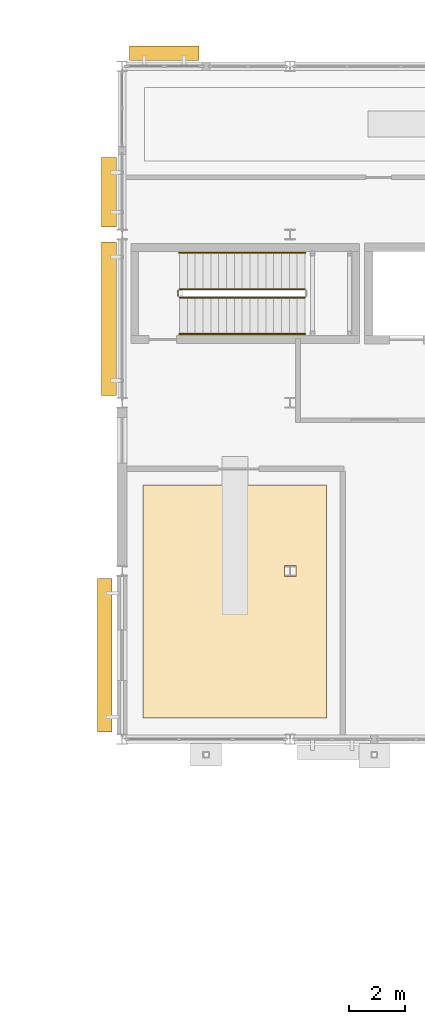
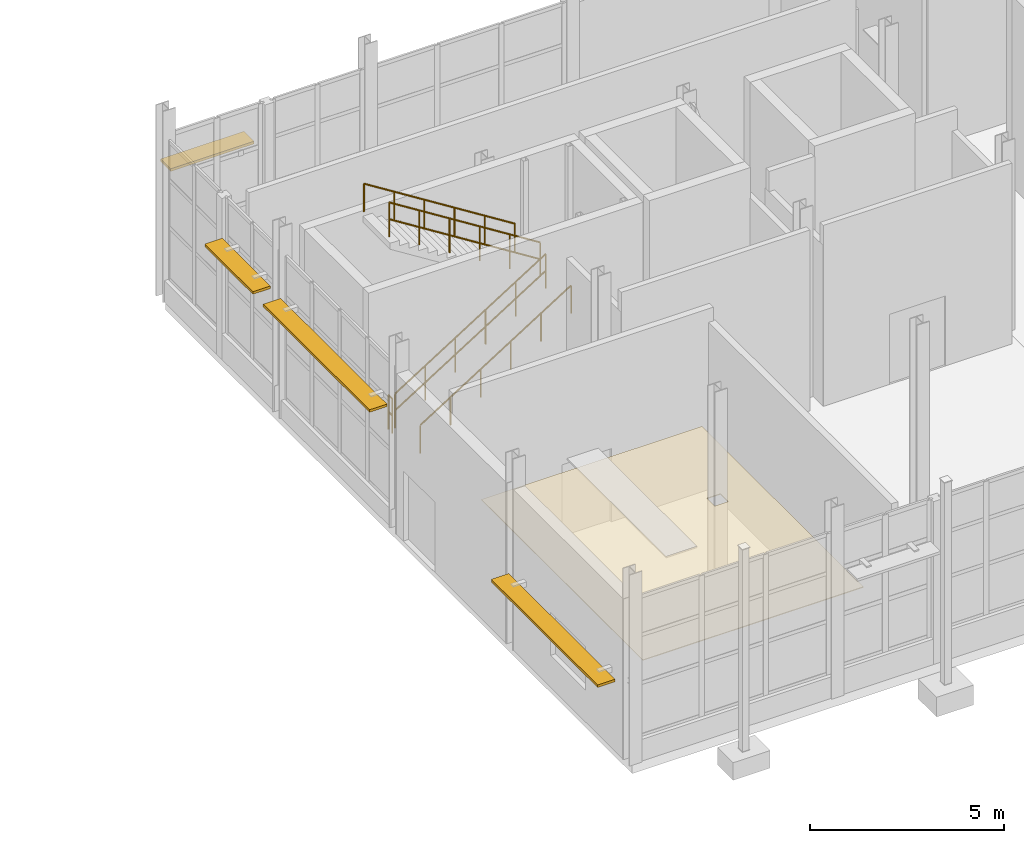
# One storey, part 117 of 120: 5 railings, 4 shading devices, 1 covering.
"""IFC4 building model written with IfcOpenShell, lengths in metres."""

from ifc_helpers import new_model, si_unit, direction, frame, origin, origin_2d, place, context, subcontext, project, spatial, polyline, rectangle, circle, outline, extrude, material, layer, layer_set, type_object, element, save


model = new_model("IFC4")

# Units and contexts
model_context = context("Model", 3, precision=1e-05, world=origin(), true_north=direction((0.0, 1.0)))
body_context = subcontext(model_context, "Body", "Model", "MODEL_VIEW")
ifc_project = project(units=[si_unit("LENGTHUNIT", "METRE"), si_unit("AREAUNIT", "SQUARE_METRE"), si_unit("VOLUMEUNIT", "CUBIC_METRE"), si_unit("PLANEANGLEUNIT", "RADIAN"), si_unit("MASSUNIT", "GRAM", prefix="KILO")], contexts=[model_context])

# Site, building, storey
site_placement = place(None, origin())
site = spatial("IfcSite", under=ifc_project, at=site_placement, CompositionType="ELEMENT")
building_placement = place(site_placement, origin())
building = spatial("IfcBuilding", under=site, at=building_placement, Name="Siltcreek Boulevard Central Fire Station", CompositionType="ELEMENT")
storey_placement = place(building_placement, origin())
storey = spatial("IfcBuildingStorey", under=building, at=storey_placement, Name="L01", CompositionType="ELEMENT", Elevation=0.0)

# Covering
ifc_material_1 = material(Name="Mineral-fiber acoustic ceiling tile", Category="gypsum")
ifc_layer_1 = layer(ifc_material_1, 0.02490234375, Name="Mineral-fiber acoustic ceiling tile")
ifc_layer_set_1 = layer_set([ifc_layer_1], Name="Mineral-fiber acoustic ceiling tile")
covering_type = type_object("IfcCoveringType", Name="COV_CEIL_ACT", PredefinedType="CEILING", material=ifc_layer_set_1)
covering_placement = place(storey_placement, frame((0.0, 0.0, 2.419921875)))
element("IfcCovering", 1, at=covering_placement, inside=storey, type_object=covering_type, Name="L01 Fire Command Centre acoustic ceiling ACT-004", PredefinedType="CEILING", context=body_context, shape_type="SweptSolid", body=[
    extrude(outline(polyline([(124.949951171875, 88.949951171875), (131.5, 88.949951171875), (131.5, 97.260009765625), (124.949951171875, 97.260009765625), (124.949951171875, 88.949951171875)]), holes=[polyline([(130.0, 94.0), (130.39990234375, 94.0), (130.39990234375, 94.39990234375), (130.0, 94.39990234375), (130.0, 94.0)])]), origin(), (0.0, 0.0, 1.0), 0.025146484375),
])

# Railings
ifc_material_2 = material(Name="Painted galvanized steel stair guard", Category="steel")
railing_type_1 = type_object("IfcRailingType", Name="RL_ST_GUARD", PredefinedType="BALUSTRADE", material=ifc_material_2)
railing_1_placement = place(storey_placement, frame((126.25, 103.949951171875, 0.176513671875)))
element("IfcRailing", 2, at=railing_1_placement, inside=storey, type_object=railing_type_1, Name="L01 ST-V5A stair guard 1", PredefinedType="BALUSTRADE", context=body_context, shape_type="SweptSolid", body=[
    extrude(circle(Radius=0.02392578125, at=origin_2d()), frame((0.0, 0.0, 1.076171875), z_axis=(0.845997938375, 0.0, 0.533186166611), x_axis=(0.0, 1.0, 0.0)), (0.0, 0.0, 1.0), 5.29541015625),
    extrude(circle(Radius=0.02392578125, at=origin_2d()), frame((0.0, 0.0, 0.550048828125), z_axis=(0.845997938375, 0.0, 0.533186166611), x_axis=(0.0, 1.0, 0.0)), (0.0, 0.0, 1.0), 5.29541015625),
    extrude(circle(Radius=0.02099609375, at=origin_2d()), origin(), (0.0, 0.0, 1.0), 1.052001953125),
    extrude(circle(Radius=0.02099609375, at=origin_2d()), frame((0.89599609375, 0.0, 0.564697265625)), (0.0, 0.0, 1.0), 1.052001953125),
    extrude(circle(Radius=0.02099609375, at=origin_2d()), frame((1.7919921875, 0.0, 1.12939453125)), (0.0, 0.0, 1.0), 1.052001953125),
    extrude(circle(Radius=0.02099609375, at=origin_2d()), frame((2.68798828125, 0.0, 1.694091796875)), (0.0, 0.0, 1.0), 1.052001953125),
    extrude(circle(Radius=0.02099609375, at=origin_2d()), frame((3.583984375, 0.0, 2.2587890625)), (0.0, 0.0, 1.0), 1.052001953125),
    extrude(circle(Radius=0.02099609375, at=origin_2d()), frame((4.47998046875, 0.0, 2.823486328125)), (0.0, 0.0, 1.0), 1.052001953125),
])
railing_2_placement = place(storey_placement, frame((130.72998046875, 104.25, 3.176513671875)))
element("IfcRailing", 3, at=railing_2_placement, inside=storey, type_object=railing_type_1, Name="L01 ST-V5A stair guard 3", PredefinedType="BALUSTRADE", context=body_context, shape_type="SweptSolid", body=[
    extrude(circle(Radius=0.02392578125, at=origin_2d()), frame((0.0, 0.0, 1.076171875), z_axis=(-0.845997938375, 0.0, 0.533186166611), x_axis=(0.0, -1.0, 0.0)), (0.0, 0.0, 1.0), 5.29541015625),
    extrude(circle(Radius=0.02392578125, at=origin_2d()), frame((0.0, 0.0, 0.550048828125), z_axis=(-0.845997938375, 0.0, 0.533186166611), x_axis=(0.0, -1.0, 0.0)), (0.0, 0.0, 1.0), 5.29541015625),
    extrude(circle(Radius=0.02099609375, at=origin_2d()), origin(), (0.0, 0.0, 1.0), 1.052001953125),
    extrude(circle(Radius=0.02099609375, at=origin_2d()), frame((-0.89599609375, 0.0, 0.564697265625)), (0.0, 0.0, 1.0), 1.052001953125),
    extrude(circle(Radius=0.02099609375, at=origin_2d()), frame((-1.7919921875, 0.0, 1.12939453125)), (0.0, 0.0, 1.0), 1.052001953125),
    extrude(circle(Radius=0.02099609375, at=origin_2d()), frame((-2.68798828125, 0.0, 1.694091796875)), (0.0, 0.0, 1.0), 1.052001953125),
    extrude(circle(Radius=0.02099609375, at=origin_2d()), frame((-3.583984375, 0.0, 2.2587890625)), (0.0, 0.0, 1.0), 1.052001953125),
    extrude(circle(Radius=0.02099609375, at=origin_2d()), frame((-4.47998046875, 0.0, 2.823486328125)), (0.0, 0.0, 1.0), 1.052001953125),
])
railing_3_placement = place(storey_placement, frame((126.199951171875, 104.0, 0.0)))
element("IfcRailing", 4, at=railing_3_placement, inside=storey, type_object=railing_type_1, Name="L01 ST-V5A stair guard 4", PredefinedType="BALUSTRADE", context=body_context, shape_type="SweptSolid", body=[
    extrude(circle(Radius=0.02392578125, at=origin_2d()), frame((0.0, 0.0, 1.076171875), z_axis=(0.0, 1.0, 0.0), x_axis=(-1.0, 0.0, 0.0)), (0.0, 0.0, 1.0), 0.199951171875),
    extrude(circle(Radius=0.02392578125, at=origin_2d()), frame((0.0, 0.0, 0.550048828125), z_axis=(0.0, 1.0, 0.0), x_axis=(-1.0, 0.0, 0.0)), (0.0, 0.0, 1.0), 0.199951171875),
    extrude(circle(Radius=0.02099609375, at=origin_2d()), origin(), (0.0, 0.0, 1.0), 1.052001953125),
    extrude(circle(Radius=0.02099609375, at=origin_2d()), frame((0.0, 0.199951171875, 0.0)), (0.0, 0.0, 1.0), 1.052001953125),
])
ifc_material_3 = material(Name="Brushed stainless steel stair handrail", Category="steel")
railing_type_2 = type_object("IfcRailingType", Name="RL_ST_HAND", PredefinedType="HANDRAIL", material=ifc_material_3)
railing_4_placement = place(storey_placement, frame((126.25, 102.64990234375, 0.176513671875)))
element("IfcRailing", 5, at=railing_4_placement, inside=storey, type_object=railing_type_2, Name="L01 ST-V5A stair handrail 1", PredefinedType="HANDRAIL", context=body_context, shape_type="SweptSolid", body=[
    extrude(circle(Radius=0.02392578125, at=origin_2d()), frame((0.0, 0.0, 0.8759765625), z_axis=(0.845997938375, 0.0, 0.533186166611), x_axis=(0.0, 1.0, 0.0)), (0.0, 0.0, 1.0), 5.29541015625),
    extrude(circle(Radius=0.02099609375, at=origin_2d()), origin(), (0.0, 0.0, 1.0), 0.851806640625),
    extrude(circle(Radius=0.02099609375, at=origin_2d()), frame((0.89599609375, 0.0, 0.564697265625)), (0.0, 0.0, 1.0), 0.851806640625),
    extrude(circle(Radius=0.02099609375, at=origin_2d()), frame((1.7919921875, 0.0, 1.12939453125)), (0.0, 0.0, 1.0), 0.851806640625),
    extrude(circle(Radius=0.02099609375, at=origin_2d()), frame((2.68798828125, 0.0, 1.694091796875)), (0.0, 0.0, 1.0), 0.851806640625),
    extrude(circle(Radius=0.02099609375, at=origin_2d()), frame((3.583984375, 0.0, 2.2587890625)), (0.0, 0.0, 1.0), 0.851806640625),
    extrude(circle(Radius=0.02099609375, at=origin_2d()), frame((4.47998046875, 0.0, 2.823486328125)), (0.0, 0.0, 1.0), 0.851806640625),
])
railing_5_placement = place(storey_placement, frame((130.72998046875, 105.550048828125, 3.176513671875)))
element("IfcRailing", 6, at=railing_5_placement, inside=storey, type_object=railing_type_2, Name="L01 ST-V5A stair handrail 2", PredefinedType="HANDRAIL", context=body_context, shape_type="SweptSolid", body=[
    extrude(circle(Radius=0.02392578125, at=origin_2d()), frame((0.0, 0.0, 0.8759765625), z_axis=(-0.845997938375, 0.0, 0.533186166611), x_axis=(0.0, -1.0, 0.0)), (0.0, 0.0, 1.0), 5.29541015625),
    extrude(circle(Radius=0.02099609375, at=origin_2d()), origin(), (0.0, 0.0, 1.0), 0.851806640625),
    extrude(circle(Radius=0.02099609375, at=origin_2d()), frame((-0.89599609375, 0.0, 0.564697265625)), (0.0, 0.0, 1.0), 0.851806640625),
    extrude(circle(Radius=0.02099609375, at=origin_2d()), frame((-1.7919921875, 0.0, 1.12939453125)), (0.0, 0.0, 1.0), 0.851806640625),
    extrude(circle(Radius=0.02099609375, at=origin_2d()), frame((-2.68798828125, 0.0, 1.694091796875)), (0.0, 0.0, 1.0), 0.851806640625),
    extrude(circle(Radius=0.02099609375, at=origin_2d()), frame((-3.583984375, 0.0, 2.2587890625)), (0.0, 0.0, 1.0), 0.851806640625),
    extrude(circle(Radius=0.02099609375, at=origin_2d()), frame((-4.47998046875, 0.0, 2.823486328125)), (0.0, 0.0, 1.0), 0.851806640625),
])

# Shading devices
ifc_material_4 = material(Name="Frey sage-green anodized tubular aluminum sunshade", Category="aluminium")
ifc_layer_2 = layer(ifc_material_4, 0.080078125, Name="Frey sage-green anodized tubular aluminum sunshade")
ifc_layer_set_2 = layer_set([ifc_layer_2], Name="Frey sage-green anodized tubular aluminum sunshade")
shading_device_type = type_object("IfcShadingDeviceType", Name="SHD_BRISE", PredefinedType="USERDEFINED", material=ifc_layer_set_2)
shading_device_1_placement = place(storey_placement, frame((125.702392578125, 112.659912109375, 3.73095703125), z_axis=(0.0, 0.0, 1.0), x_axis=(-1.0, 0.0, 0.0)))
element("IfcShadingDevice", 7, at=shading_device_1_placement, inside=storey, type_object=shading_device_type, Name="Anodized tubular aluminum brise-soleil SS-085", ObjectType="SUNSHADE", PredefinedType="USERDEFINED", context=body_context, shape_type="SweptSolid", body=[
    extrude(rectangle(XDim=2.47509765625, YDim=0.52001953125, at=origin_2d()), origin(), (0.0, 0.0, 1.0), 0.080078125),
])
for number, where, z_axis, x_axis, name in (
    (8, (123.5849609375, 91.199951171875, 2.43994140625), (0.0, 0.0, 1.0), (0.0, -1.0, 0.0), "Anodized tubular aluminum brise-soleil SS-090"),
    (9, (123.739990234375, 103.199951171875, 3.74853515625), (0.0, 0.0, 1.0), (0.0, -1.0, 0.0), "Anodized tubular aluminum brise-soleil SS-091"),
):
    element("IfcShadingDevice", number, at=place(storey_placement, frame(where, z_axis=z_axis, x_axis=x_axis)), inside=storey, type_object=shading_device_type, Name=name, ObjectType="SUNSHADE", PredefinedType="USERDEFINED", context=body_context, shape_type="SweptSolid", body=[
        extrude(rectangle(XDim=5.469970703125, YDim=0.52001953125, at=origin_2d()), origin(), (0.0, 0.0, 1.0), 0.080078125),
    ])
shading_device_2_placement = place(storey_placement, frame((123.739990234375, 107.702392578125, 3.815673828125), z_axis=(0.0, 0.0, 1.0), x_axis=(0.0, -1.0, 0.0)))
element("IfcShadingDevice", 10, at=shading_device_2_placement, inside=storey, type_object=shading_device_type, Name="Anodized tubular aluminum brise-soleil SS-092", ObjectType="SUNSHADE", PredefinedType="USERDEFINED", context=body_context, shape_type="SweptSolid", body=[
    extrude(rectangle(XDim=2.47509765625, YDim=0.52001953125, at=origin_2d()), origin(), (0.0, 0.0, 1.0), 0.080078125),
])

save(model, "model.ifc")
